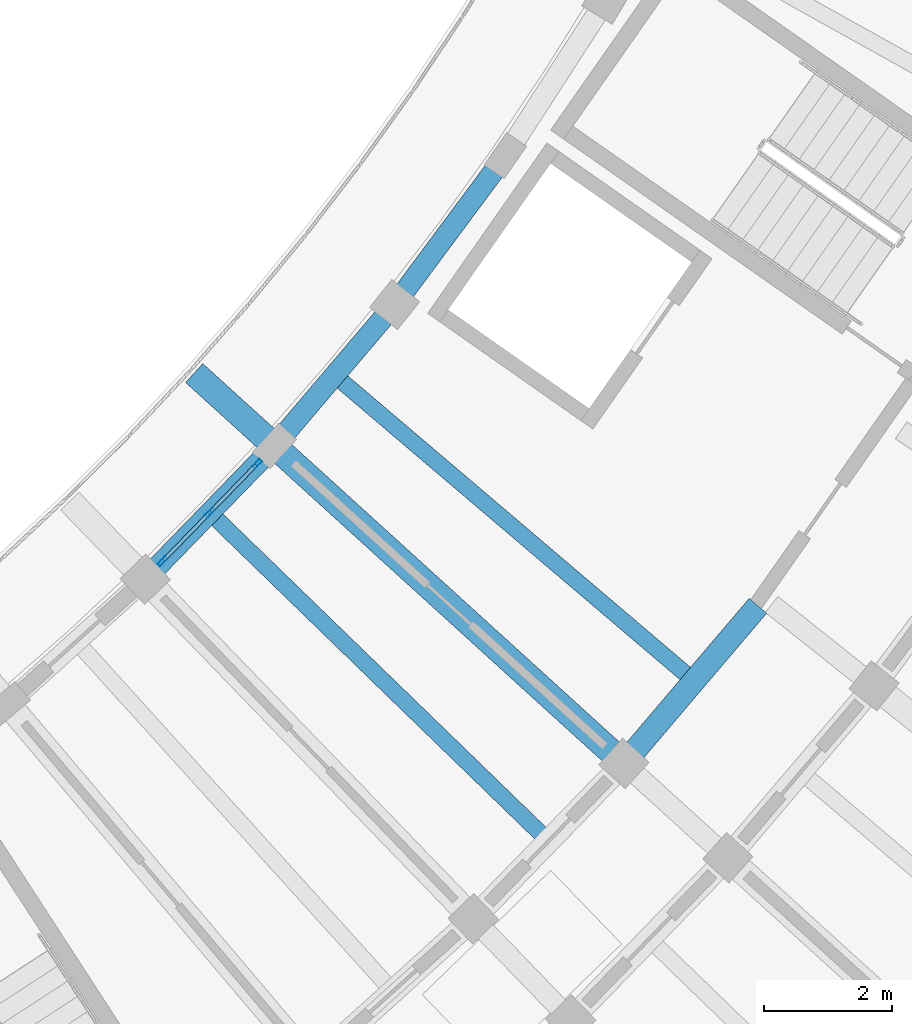
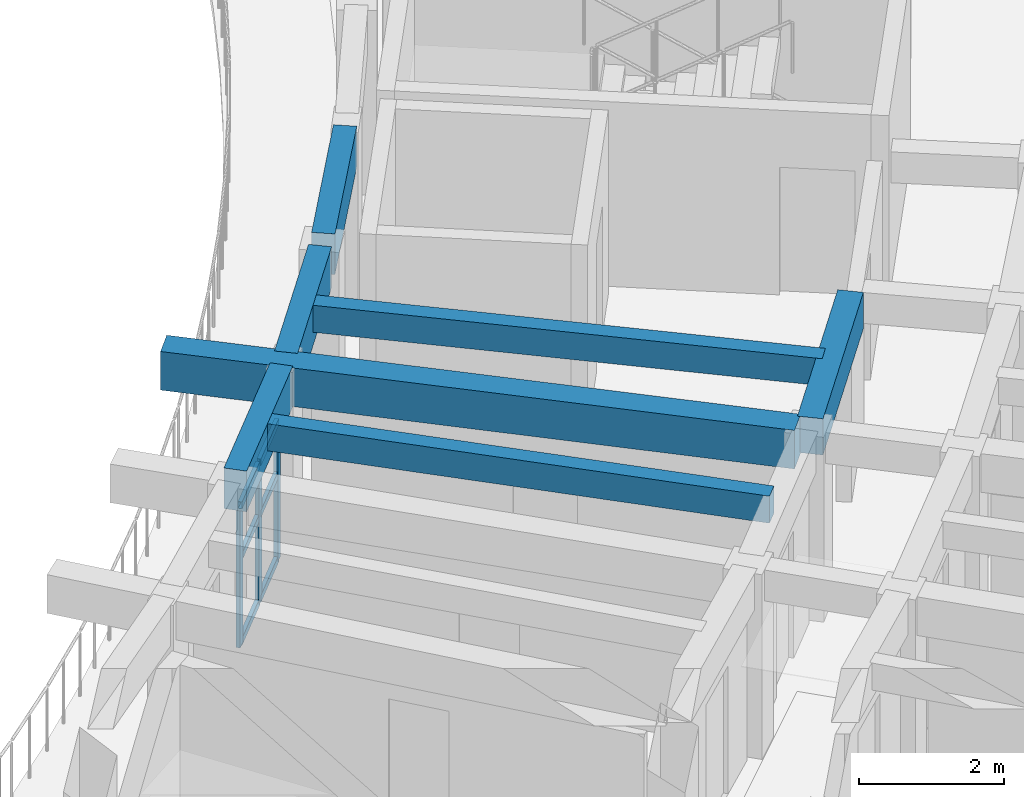
# One storey, part 20 of 78: 9 members, 7 beams, 1 element without a shape of its own.
"""IFC4 building model written with IfcOpenShell, lengths in metres."""

from ifc_helpers import new_model, si_unit, direction, frame, origin, origin_2d, place, context, subcontext, project, spatial, rectangle, hollow_rectangle, extrude, material, material_profile, profile_set, type_object, element, aggregate, save


model = new_model("IFC4")

# Units and contexts
model_context = context("Model", 3, precision=1e-05, world=origin(), true_north=direction((0.0, 1.0)))
body_context = subcontext(model_context, "Body", "Model", "MODEL_VIEW")
ifc_project = project(units=[si_unit("LENGTHUNIT", "METRE"), si_unit("AREAUNIT", "SQUARE_METRE"), si_unit("VOLUMEUNIT", "CUBIC_METRE"), si_unit("PLANEANGLEUNIT", "RADIAN"), si_unit("MASSUNIT", "GRAM", prefix="KILO")], contexts=[model_context])

# Site, building, storey
site_placement = place(None, origin())
site = spatial("IfcSite", under=ifc_project, at=site_placement, CompositionType="ELEMENT")
building_placement = place(site_placement, origin())
building = spatial("IfcBuilding", under=site, at=building_placement, Name="Tanwirah Colonnade Gardens", CompositionType="ELEMENT")
storey_placement = place(building_placement, frame((0.0, 0.0, 22.280029296875)))
storey = spatial("IfcBuildingStorey", under=building, at=storey_placement, Name="L06", CompositionType="ELEMENT", Elevation=22.280029296875)

# Beams
ifc_material_1 = material(Name="Precast concrete C40/50", Category="concrete")
ifc_material_profile_1 = material_profile(ifc_material_1, rectangle(XDim=0.360107421875, YDim=0.610107421875, at=origin_2d()), Name="PC-BM 360x610")
ifc_profile_set_1 = profile_set([ifc_material_profile_1], Name="Precast concrete C40/50")
beam_type_1 = type_object("IfcBeamType", Name="BM-PC300", PredefinedType="BEAM", material=ifc_profile_set_1)
beam_1_placement = place(storey_placement, frame((159.4775390625, 29.751953125, 2.804931640625), z_axis=(0.647730901566, 0.761869200819, 0.0), x_axis=(-0.761869200819, 0.647730901566, 0.0)))
element("IfcBeam", 1, at=beam_1_placement, inside=storey, type_object=beam_type_1, Name="Block D L06 Circumferential Beam 9-R1", PredefinedType="BEAM", context=body_context, shape_type="SweptSolid", body=[
    extrude(rectangle(XDim=0.360107421875, YDim=0.610107421875, at=origin_2d()), origin(), (0.0, 0.0, 1.0), 3.093017578125),
])
ifc_material_2 = material(Name="Precast concrete C45/55", Category="concrete")
ifc_material_profile_2 = material_profile(ifc_material_2, rectangle(XDim=0.39990234375, YDim=0.64990234375, at=origin_2d()), Name="PC-BM 400x650")
ifc_profile_set_2 = profile_set([ifc_material_profile_2], Name="Precast concrete C45/55")
beam_type_2 = type_object("IfcBeamType", Name="BM-PC400", PredefinedType="BEAM", material=ifc_profile_set_2)
beam_2_placement = place(storey_placement, frame((159.269287109375, 29.738525390625, 2.784912109375), z_axis=(-0.740212791446, 0.672372681911, 0.0), x_axis=(-0.672372681911, -0.740212791446, 0.0)))
element("IfcBeam", 2, at=beam_2_placement, inside=storey, type_object=beam_type_2, Name="Block D L06 Inner Radial Precast Girder 9", PredefinedType="BEAM", context=body_context, shape_type="SweptSolid", body=[
    extrude(rectangle(XDim=0.39990234375, YDim=0.64990234375, at=origin_2d()), origin(), (0.0, 0.0, 1.0), 8.9501953125),
])

# Curtain wall, members
ifc_material_3 = material(Name="Bronze-anodised aluminium and solar-control low-E glass", Category="aluminium")
curtain_wall_type = type_object("IfcCurtainWallType", Name="CW-GDN", PredefinedType="NOTDEFINED", material=ifc_material_3)
curtain_wall_placement = place(storey_placement, origin())
curtain_wall = element("IfcCurtainWall", 3, at=curtain_wall_placement, inside=storey, type_object=curtain_wall_type, Name="Curtain Wall CW-D-L06-IN-08", PredefinedType="NOTDEFINED")
ifc_material_4 = material(Name="Bronze-anodised aluminium", Category="aluminium")
ifc_material_profile_3 = material_profile(ifc_material_4, hollow_rectangle(XDim=0.06005859375, YDim=0.159912109375, WallThickness=0.00390625, at=origin_2d()), Name="CW-MUL 60x160x4")
ifc_profile_set_3 = profile_set([ifc_material_profile_3], Name="Bronze-anodised aluminium")
member_type_1 = type_object("IfcMemberType", Name="CWM-60x160", PredefinedType="MULLION", material=ifc_profile_set_3)
member_1_placement = place(storey_placement, frame((152.149169921875, 32.80517578125, 0.0), z_axis=(0.0, 0.0, 1.0), x_axis=(-0.717825107678, 0.696223466127, 0.0)))
member_1 = element("IfcMember", 4, at=member_1_placement, type_object=member_type_1, Name="CW-GDN mullion 1", PredefinedType="MULLION", context=body_context, shape_type="SweptSolid", body=[
    extrude(hollow_rectangle(XDim=0.06005859375, YDim=0.159912109375, WallThickness=0.00390625, at=origin_2d()), origin(), (0.0, 0.0, 1.0), 2.35498046875),
])
member_2_placement = place(storey_placement, frame((152.89013671875, 33.5693359375, 0.0), z_axis=(0.0, 0.0, 1.0), x_axis=(-0.717825107678, 0.696223466127, 0.0)))
member_2 = element("IfcMember", 5, at=member_2_placement, type_object=member_type_1, Name="CW-GDN mullion 2", PredefinedType="MULLION", context=body_context, shape_type="SweptSolid", body=[
    extrude(hollow_rectangle(XDim=0.06005859375, YDim=0.159912109375, WallThickness=0.00390625, at=origin_2d()), origin(), (0.0, 0.0, 1.0), 2.35498046875),
])
member_3_placement = place(storey_placement, frame((153.631103515625, 34.333251953125, 0.0), z_axis=(0.0, 0.0, 1.0), x_axis=(-0.717825107678, 0.696223466127, 0.0)))
member_3 = element("IfcMember", 6, at=member_3_placement, type_object=member_type_1, Name="CW-GDN mullion 3", PredefinedType="MULLION", context=body_context, shape_type="SweptSolid", body=[
    extrude(hollow_rectangle(XDim=0.06005859375, YDim=0.159912109375, WallThickness=0.00390625, at=origin_2d()), origin(), (0.0, 0.0, 1.0), 2.35498046875),
])
ifc_material_profile_4 = material_profile(ifc_material_4, hollow_rectangle(XDim=0.06005859375, YDim=0.1201171875, WallThickness=0.00390625, at=origin_2d()), Name="CW-TRN 60x120x4")
ifc_profile_set_4 = profile_set([ifc_material_profile_4], Name="Bronze-anodised aluminium")
member_type_2 = type_object("IfcMemberType", Name="CWT-60x120", PredefinedType="USERDEFINED", material=ifc_profile_set_4)
member_4_placement = place(storey_placement, frame((152.169921875, 32.826904296875, 0.030029296875), z_axis=(0.696206577043, 0.717841488131, 0.0), x_axis=(-0.717841488131, 0.696206577043, 0.0)))
member_4 = element("IfcMember", 7, at=member_4_placement, type_object=member_type_2, Name="CW-GDN transom 1.1", ObjectType="TRANSOM", PredefinedType="USERDEFINED", context=body_context, shape_type="SweptSolid", body=[
    extrude(hollow_rectangle(XDim=0.06005859375, YDim=0.1201171875, WallThickness=0.00390625, at=origin_2d()), origin(), (0.0, 0.0, 1.0), 1.00439453125),
])
member_5_placement = place(storey_placement, frame((152.169921875, 32.826904296875, 1.4599609375), z_axis=(0.696206577043, 0.717841488131, 0.0), x_axis=(-0.717841488131, 0.696206577043, 0.0)))
member_5 = element("IfcMember", 8, at=member_5_placement, type_object=member_type_2, Name="CW-GDN transom 1.2", ObjectType="TRANSOM", PredefinedType="USERDEFINED", context=body_context, shape_type="SweptSolid", body=[
    extrude(hollow_rectangle(XDim=0.06005859375, YDim=0.1201171875, WallThickness=0.00390625, at=origin_2d()), origin(), (0.0, 0.0, 1.0), 1.00439453125),
])
member_6_placement = place(storey_placement, frame((152.169921875, 32.826904296875, 2.324951171875), z_axis=(0.696206577043, 0.717841488131, 0.0), x_axis=(-0.717841488131, 0.696206577043, 0.0)))
member_6 = element("IfcMember", 9, at=member_6_placement, type_object=member_type_2, Name="CW-GDN transom 1.3", ObjectType="TRANSOM", PredefinedType="USERDEFINED", context=body_context, shape_type="SweptSolid", body=[
    extrude(hollow_rectangle(XDim=0.06005859375, YDim=0.1201171875, WallThickness=0.00390625, at=origin_2d()), origin(), (0.0, 0.0, 1.0), 1.00439453125),
])
member_7_placement = place(storey_placement, frame((152.9111328125, 33.5908203125, 0.030029296875), z_axis=(0.696206577043, 0.717841488131, 0.0), x_axis=(-0.717841488131, 0.696206577043, 0.0)))
member_7 = element("IfcMember", 10, at=member_7_placement, type_object=member_type_2, Name="CW-GDN transom 2.1", ObjectType="TRANSOM", PredefinedType="USERDEFINED", context=body_context, shape_type="SweptSolid", body=[
    extrude(hollow_rectangle(XDim=0.06005859375, YDim=0.1201171875, WallThickness=0.00390625, at=origin_2d()), origin(), (0.0, 0.0, 1.0), 1.00439453125),
])
member_8_placement = place(storey_placement, frame((152.9111328125, 33.5908203125, 1.4599609375), z_axis=(0.696206577043, 0.717841488131, 0.0), x_axis=(-0.717841488131, 0.696206577043, 0.0)))
member_8 = element("IfcMember", 11, at=member_8_placement, type_object=member_type_2, Name="CW-GDN transom 2.2", ObjectType="TRANSOM", PredefinedType="USERDEFINED", context=body_context, shape_type="SweptSolid", body=[
    extrude(hollow_rectangle(XDim=0.06005859375, YDim=0.1201171875, WallThickness=0.00390625, at=origin_2d()), origin(), (0.0, 0.0, 1.0), 1.00439453125),
])
member_9_placement = place(storey_placement, frame((152.9111328125, 33.5908203125, 2.324951171875), z_axis=(0.696206577043, 0.717841488131, 0.0), x_axis=(-0.717841488131, 0.696206577043, 0.0)))
member_9 = element("IfcMember", 12, at=member_9_placement, type_object=member_type_2, Name="CW-GDN transom 2.3", ObjectType="TRANSOM", PredefinedType="USERDEFINED", context=body_context, shape_type="SweptSolid", body=[
    extrude(hollow_rectangle(XDim=0.06005859375, YDim=0.1201171875, WallThickness=0.00390625, at=origin_2d()), origin(), (0.0, 0.0, 1.0), 1.00439453125),
])
aggregate(curtain_wall, [member_1, member_2, member_3, member_4, member_5, member_6, member_7, member_8, member_9])

# Beams
ifc_material_profile_5 = material_profile(ifc_material_1, rectangle(XDim=0.2548828125, YDim=0.455078125, at=origin_2d()), Name="PC-JST 255x455")
ifc_profile_set_5 = profile_set([ifc_material_profile_5], Name="Precast concrete C40/50")
beam_type_3 = type_object("IfcBeamType", Name="JST-PC240", PredefinedType="JOIST", material=ifc_profile_set_5)
beam_3_placement = place(storey_placement, frame((152.993408203125, 33.46923828125, 2.882568359375), z_axis=(0.717816218075, -0.69623263143, 0.0), x_axis=(0.69623263143, 0.717816218075, 0.0)))
element("IfcBeam", 13, at=beam_3_placement, inside=storey, type_object=beam_type_3, Name="Block D L06 Inner Precast Floor Joist 8", PredefinedType="JOIST", context=body_context, shape_type="SweptSolid", body=[
    extrude(rectangle(XDim=0.2548828125, YDim=0.455078125, at=origin_2d()), origin(), (0.0, 0.0, 1.0), 7.16015625),
])
beam_4_placement = place(storey_placement, frame((154.954345703125, 35.628173828125, 2.882568359375), z_axis=(0.761816472242, -0.647792916464, 0.0), x_axis=(0.647792916464, 0.761816472242, 0.0)))
element("IfcBeam", 14, at=beam_4_placement, inside=storey, type_object=beam_type_3, Name="Block D L06 Inner Precast Floor Joist 9", PredefinedType="JOIST", context=body_context, shape_type="SweptSolid", body=[
    extrude(rectangle(XDim=0.2548828125, YDim=0.455078125, at=origin_2d()), origin(), (0.0, 0.0, 1.0), 7.159912109375),
])
ifc_material_profile_6 = material_profile(ifc_material_1, rectangle(XDim=0.324951171875, YDim=0.68505859375, at=origin_2d()), Name="PC-SP 325x685")
ifc_profile_set_6 = profile_set([ifc_material_profile_6], Name="Precast concrete C40/50")
beam_type_4 = type_object("IfcBeamType", Name="SP-PC260", PredefinedType="SPANDREL", material=ifc_profile_set_6)
beam_5_placement = place(storey_placement, frame((151.98193359375, 32.633056640625, 2.767578125), z_axis=(0.696262751108, 0.717787002822, 0.0), x_axis=(-0.717787002822, 0.696262751108, 0.0)))
element("IfcBeam", 15, at=beam_5_placement, inside=storey, type_object=beam_type_4, Name="Block D L06 Circumferential Beam 8-R0", PredefinedType="SPANDREL", context=body_context, shape_type="SweptSolid", body=[
    extrude(rectangle(XDim=0.324951171875, YDim=0.68505859375, at=origin_2d()), origin(), (0.0, 0.0, 1.0), 2.60888671875),
])
beam_6_placement = place(storey_placement, frame((153.999755859375, 34.7275390625, 2.767578125), z_axis=(0.647811402053, 0.761800753065, 0.0), x_axis=(-0.761800753065, 0.647811402053, 0.0)))
element("IfcBeam", 16, at=beam_6_placement, inside=storey, type_object=beam_type_4, Name="Block D L06 Circumferential Beam 9-R0", PredefinedType="SPANDREL", context=body_context, shape_type="SweptSolid", body=[
    extrude(rectangle(XDim=0.324951171875, YDim=0.68505859375, at=origin_2d()), origin(), (0.0, 0.0, 1.0), 2.608642578125),
])
beam_7_placement = place(storey_placement, frame((155.87646484375, 36.94970703125, 2.767578125), z_axis=(0.596565220249, 0.802564600508, 0.0), x_axis=(-0.802564600508, 0.596565220249, 0.0)))
element("IfcBeam", 17, at=beam_7_placement, inside=storey, type_object=beam_type_4, Name="Block D L06 Circumferential Beam 10-R0", PredefinedType="SPANDREL", context=body_context, shape_type="SweptSolid", body=[
    extrude(rectangle(XDim=0.324951171875, YDim=0.68505859375, at=origin_2d()), origin(), (0.0, 0.0, 1.0), 2.6083984375),
])

save(model, "model.ifc")
